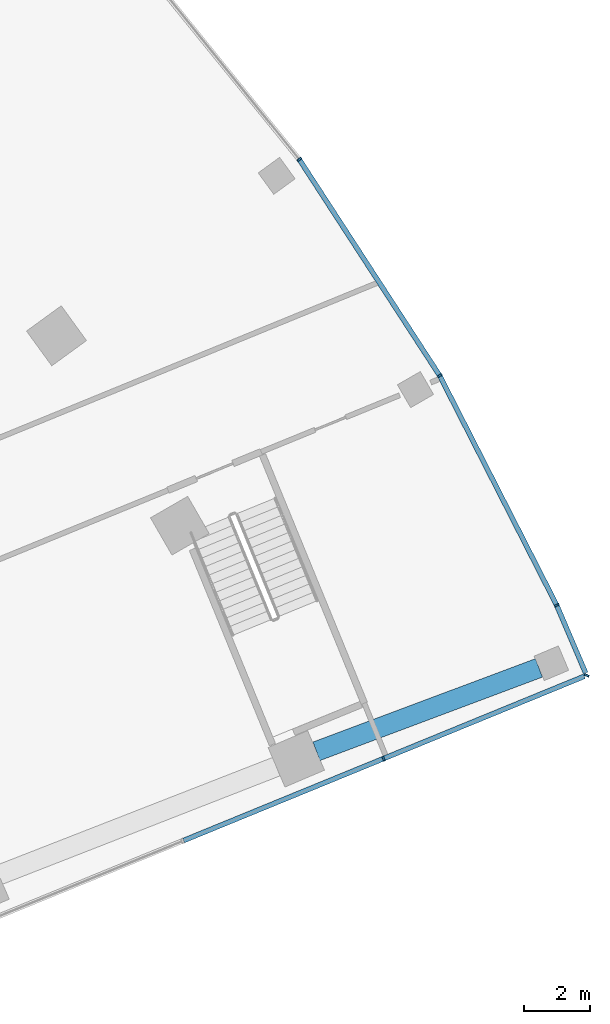
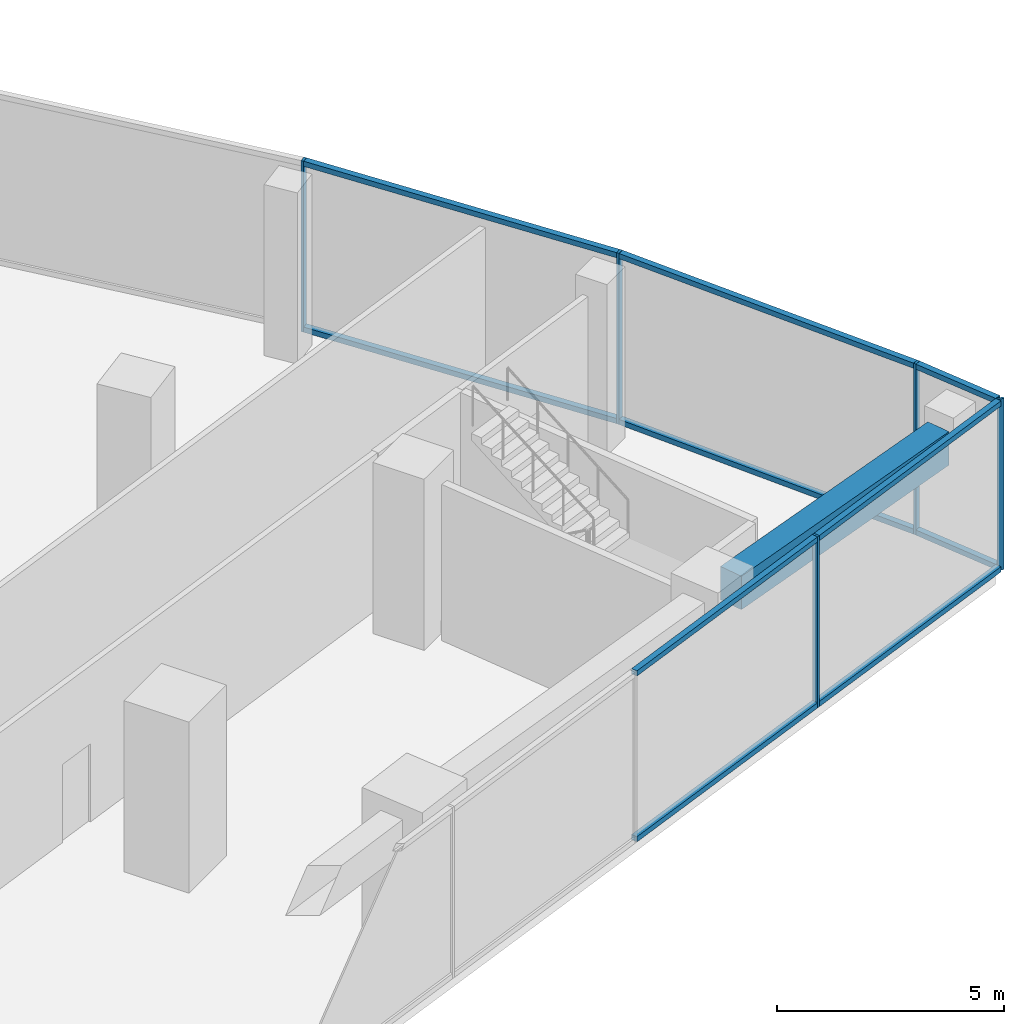
# One storey, part 16 of 39: 15 members, 1 beam, 2 elements without a shape of their own.
"""IFC4 building model written with IfcOpenShell, lengths in metres."""

from ifc_helpers import new_model, si_unit, direction, frame, origin, origin_2d, place, context, subcontext, project, spatial, rectangle, extrude, material, layer, layer_set, material_profile, profile_set, type_object, element, aggregate, save


model = new_model("IFC4")

# Units and contexts
model_context = context("Model", 3, precision=1e-05, world=origin(), true_north=direction((0.0, 1.0)))
body_context = subcontext(model_context, "Body", "Model", "MODEL_VIEW")
ifc_project = project(units=[si_unit("LENGTHUNIT", "METRE"), si_unit("AREAUNIT", "SQUARE_METRE"), si_unit("VOLUMEUNIT", "CUBIC_METRE"), si_unit("PLANEANGLEUNIT", "RADIAN"), si_unit("MASSUNIT", "GRAM", prefix="KILO")], contexts=[model_context])

# Site, building, storey
site_placement = place(None, origin())
site = spatial("IfcSite", under=ifc_project, at=site_placement, CompositionType="ELEMENT")
building_placement = place(site_placement, origin())
building = spatial("IfcBuilding", under=site, at=building_placement, Name="Stone Belt Terrace Tower", CompositionType="ELEMENT")
storey_placement = place(building_placement, frame((0.0, 0.0, 20.800048828125)))
storey = spatial("IfcBuildingStorey", under=building, at=storey_placement, Name="L04", CompositionType="ELEMENT", Elevation=20.800048828125)

# Curtain wall, member
ifc_material_1 = material(Name="Aluminium 6063-T6 anodised frame", Category="aluminium")
ifc_layer = layer(ifc_material_1, 0.14990234375)
ifc_layer_set = layer_set([ifc_layer], Name="CW-D podium shopfront")
curtain_wall_type = type_object("IfcCurtainWallType", Name="CW-D podium shopfront", PredefinedType="NOTDEFINED", material=ifc_layer_set)
curtain_wall_1_placement = place(storey_placement, origin())
curtain_wall_1 = element("IfcCurtainWall", 1, at=curtain_wall_1_placement, inside=storey, type_object=curtain_wall_type, Name="CW-D end face L04", PredefinedType="NOTDEFINED")
ifc_material_profile_1 = material_profile(ifc_material_1, rectangle(XDim=0.14990234375, YDim=0.06005859375, at=origin_2d()), Name="Aluminium 6063-T6 60x150")
ifc_profile_set_1 = profile_set([ifc_material_profile_1], Name="Aluminium 6063-T6 anodised frame")
member_type_1 = type_object("IfcMemberType", Name="CW-D mullion 60 x 150", PredefinedType="MULLION", material=ifc_profile_set_1)
member_1_placement = place(storey_placement, frame((62.882568359375, 25.692138671875, 0.0), z_axis=(0.0, 0.0, 1.0), x_axis=(-0.379243093825, 0.925297074342, 0.0)))
member_1 = element("IfcMember", 2, at=member_1_placement, type_object=member_type_1, Name="CW-D mullion 7", PredefinedType="MULLION", context=body_context, shape_type="SweptSolid", body=[
    extrude(rectangle(XDim=0.14990234375, YDim=0.06005859375, at=origin_2d()), origin(), (0.0, 0.0, 1.0), 4.599853515625),
])

# Curtain wall, members
curtain_wall_2_placement = place(storey_placement, origin())
curtain_wall_2 = element("IfcCurtainWall", 3, at=curtain_wall_2_placement, inside=storey, type_object=curtain_wall_type, Name="CW-D convex face L04", PredefinedType="NOTDEFINED")
member_2_placement = place(storey_placement, frame((69.033447265625, 28.213134765625, 0.0), z_axis=(0.0, 0.0, 1.0), x_axis=(-0.925309719849, 0.379212239192, 0.0)))
member_2 = element("IfcMember", 4, at=member_2_placement, type_object=member_type_1, Name="CW-D mullion 1", PredefinedType="MULLION", context=body_context, shape_type="SweptSolid", body=[
    extrude(rectangle(XDim=0.14990234375, YDim=0.06005859375, at=origin_2d()), origin(), (0.0, 0.0, 1.0), 4.599853515625),
])
member_3_placement = place(storey_placement, frame((68.127197265625, 30.333740234375, 0.0), z_axis=(0.0, 0.0, 1.0), x_axis=(-0.905778201442, -0.423752108895, 0.0)))
member_3 = element("IfcMember", 5, at=member_3_placement, type_object=member_type_1, Name="CW-D mullion 2", PredefinedType="MULLION", context=body_context, shape_type="SweptSolid", body=[
    extrude(rectangle(XDim=0.14990234375, YDim=0.06005859375, at=origin_2d()), origin(), (0.0, 0.0, 1.0), 4.599853515625),
])
member_4_placement = place(storey_placement, frame((64.583984375, 37.28759765625, 0.0), z_axis=(0.0, 0.0, 1.0), x_axis=(-0.866025403784, -0.5, 0.0)))
member_4 = element("IfcMember", 6, at=member_4_placement, type_object=member_type_1, Name="CW-D mullion 3", PredefinedType="MULLION", context=body_context, shape_type="SweptSolid", body=[
    extrude(rectangle(XDim=0.14990234375, YDim=0.06005859375, at=origin_2d()), origin(), (0.0, 0.0, 1.0), 4.599853515625),
])
member_5_placement = place(storey_placement, frame((60.33251953125, 43.834228515625, 0.0), z_axis=(0.0, 0.0, 1.0), x_axis=(-0.809016994375, -0.587785252292, 0.0)))
member_5 = element("IfcMember", 7, at=member_5_placement, type_object=member_type_1, Name="CW-D mullion 4", PredefinedType="MULLION", context=body_context, shape_type="SweptSolid", body=[
    extrude(rectangle(XDim=0.14990234375, YDim=0.06005859375, at=origin_2d()), origin(), (0.0, 0.0, 1.0), 4.599853515625),
])

# Member
ifc_material_profile_2 = material_profile(ifc_material_1, rectangle(XDim=0.14990234375, YDim=0.139892578125, at=origin_2d()), Name="Aluminium 6063-T6 150x140")
ifc_profile_set_2 = profile_set([ifc_material_profile_2], Name="Aluminium 6063-T6 anodised frame")
member_type_2 = type_object("IfcMemberType", Name="CW-D transom 140 x 150", PredefinedType="USERDEFINED", material=ifc_profile_set_2)
member_6_placement = place(storey_placement, frame((56.829833984375, 23.211181640625, 0.070068359375), z_axis=(0.925291118543, 0.379257624769, 0.0), x_axis=(-0.379257624769, 0.925291118543, 0.0)))
member_6 = element("IfcMember", 8, at=member_6_placement, type_object=member_type_2, Name="CW-D transom 6.1", ObjectType="TRANSOM", PredefinedType="USERDEFINED", context=body_context, shape_type="SweptSolid", body=[
    extrude(rectangle(XDim=0.14990234375, YDim=0.139892578125, at=origin_2d()), origin(), (0.0, 0.0, 1.0), 6.511474609375),
])

member_7_placement = place(storey_placement, frame((56.829833984375, 23.211181640625, 4.530029296875), z_axis=(0.925291118543, 0.379257624769, 0.0), x_axis=(-0.379257624769, 0.925291118543, 0.0)))
member_7 = element("IfcMember", 9, at=member_7_placement, type_object=member_type_2, Name="CW-D transom 6.2", ObjectType="TRANSOM", PredefinedType="USERDEFINED", context=body_context, shape_type="SweptSolid", body=[
    extrude(rectangle(XDim=0.14990234375, YDim=0.139892578125, at=origin_2d()), origin(), (0.0, 0.0, 1.0), 6.511474609375),
])

member_8_placement = place(storey_placement, frame((62.910400390625, 25.703369140625, 0.070068359375), z_axis=(0.925293547602, 0.379251698436, 0.0), x_axis=(-0.379251698436, 0.925293547602, 0.0)))
member_8 = element("IfcMember", 10, at=member_8_placement, type_object=member_type_2, Name="CW-D transom 7.1", ObjectType="TRANSOM", PredefinedType="USERDEFINED", context=body_context, shape_type="SweptSolid", body=[
    extrude(rectangle(XDim=0.14990234375, YDim=0.139892578125, at=origin_2d()), origin(), (0.0, 0.0, 1.0), 6.54296875),
])

member_9_placement = place(storey_placement, frame((62.910400390625, 25.703369140625, 4.530029296875), z_axis=(0.925293547602, 0.379251698436, 0.0), x_axis=(-0.379251698436, 0.925293547602, 0.0)))
member_9 = element("IfcMember", 11, at=member_9_placement, type_object=member_type_2, Name="CW-D transom 7.2", ObjectType="TRANSOM", PredefinedType="USERDEFINED", context=body_context, shape_type="SweptSolid", body=[
    extrude(rectangle(XDim=0.14990234375, YDim=0.139892578125, at=origin_2d()), origin(), (0.0, 0.0, 1.0), 6.54296875),
])

aggregate(curtain_wall_1, [member_1, member_6, member_7, member_8, member_9])

member_10_placement = place(storey_placement, frame((69.004150390625, 28.281494140625, 0.070068359375), z_axis=(-0.39299460879, 0.919540775312, 0.0), x_axis=(-0.919540775312, -0.39299460879, 0.0)))
member_10 = element("IfcMember", 12, at=member_10_placement, type_object=member_type_2, Name="CW-D transom 1.1", ObjectType="TRANSOM", PredefinedType="USERDEFINED", context=body_context, shape_type="SweptSolid", body=[
    extrude(rectangle(XDim=0.14990234375, YDim=0.139892578125, at=origin_2d()), origin(), (0.0, 0.0, 1.0), 2.19921875),
])

member_11_placement = place(storey_placement, frame((69.004150390625, 28.281494140625, 4.530029296875), z_axis=(-0.39299460879, 0.919540775312, 0.0), x_axis=(-0.919540775312, -0.39299460879, 0.0)))
member_11 = element("IfcMember", 13, at=member_11_placement, type_object=member_type_2, Name="CW-D transom 1.2", ObjectType="TRANSOM", PredefinedType="USERDEFINED", context=body_context, shape_type="SweptSolid", body=[
    extrude(rectangle(XDim=0.14990234375, YDim=0.139892578125, at=origin_2d()), origin(), (0.0, 0.0, 1.0), 2.19921875),
])

member_12_placement = place(storey_placement, frame((68.1123046875, 30.362548828125, 0.070068359375), z_axis=(-0.453977770034, 0.891013010183, 0.0), x_axis=(-0.891013010183, -0.453977770034, 0.0)))
member_12 = element("IfcMember", 14, at=member_12_placement, type_object=member_type_2, Name="CW-D transom 2.1", ObjectType="TRANSOM", PredefinedType="USERDEFINED", context=body_context, shape_type="SweptSolid", body=[
    extrude(rectangle(XDim=0.14990234375, YDim=0.139892578125, at=origin_2d()), origin(), (0.0, 0.0, 1.0), 7.738037109375),
])

member_13_placement = place(storey_placement, frame((68.1123046875, 30.362548828125, 4.530029296875), z_axis=(-0.453977770034, 0.891013010183, 0.0), x_axis=(-0.891013010183, -0.453977770034, 0.0)))
member_13 = element("IfcMember", 15, at=member_13_placement, type_object=member_type_2, Name="CW-D transom 2.2", ObjectType="TRANSOM", PredefinedType="USERDEFINED", context=body_context, shape_type="SweptSolid", body=[
    extrude(rectangle(XDim=0.14990234375, YDim=0.139892578125, at=origin_2d()), origin(), (0.0, 0.0, 1.0), 7.738037109375),
])

member_14_placement = place(storey_placement, frame((64.5654296875, 37.31591796875, 0.070068359375), z_axis=(-0.54462677088, 0.83867853224, 0.0), x_axis=(-0.83867853224, -0.54462677088, 0.0)))
member_14 = element("IfcMember", 16, at=member_14_placement, type_object=member_type_2, Name="CW-D transom 3.1", ObjectType="TRANSOM", PredefinedType="USERDEFINED", context=body_context, shape_type="SweptSolid", body=[
    extrude(rectangle(XDim=0.14990234375, YDim=0.139892578125, at=origin_2d()), origin(), (0.0, 0.0, 1.0), 7.738037109375),
])

member_15_placement = place(storey_placement, frame((64.5654296875, 37.31591796875, 4.530029296875), z_axis=(-0.54462677088, 0.83867853224, 0.0), x_axis=(-0.83867853224, -0.54462677088, 0.0)))
member_15 = element("IfcMember", 17, at=member_15_placement, type_object=member_type_2, Name="CW-D transom 3.2", ObjectType="TRANSOM", PredefinedType="USERDEFINED", context=body_context, shape_type="SweptSolid", body=[
    extrude(rectangle(XDim=0.14990234375, YDim=0.139892578125, at=origin_2d()), origin(), (0.0, 0.0, 1.0), 7.738037109375),
])

aggregate(curtain_wall_2, [member_2, member_3, member_4, member_5, member_10, member_11, member_12, member_13, member_14, member_15])

# Beam
ifc_material_2 = material(Name="Concrete B60", Category="concrete")
ifc_material_profile_3 = material_profile(ifc_material_2, rectangle(XDim=0.60009765625, YDim=0.89990234375, at=origin_2d()), Name="RC 600x900")
ifc_profile_set_3 = profile_set([ifc_material_profile_3], Name="Concrete B60")
beam_type = type_object("IfcBeamType", Name="Edge beam RC 600x900 B60", PredefinedType="SPANDREL", material=ifc_profile_set_3)
beam_placement = place(storey_placement, frame((60.85107421875, 25.913330078125, 3.75), z_axis=(0.936357063025, 0.351049071389, 0.0), x_axis=(-0.351049071389, 0.936357063025, 0.0)))
element("IfcBeam", 18, at=beam_placement, inside=storey, type_object=beam_type, Name="Edge beam L04 B R to S", PredefinedType="SPANDREL", context=body_context, shape_type="SweptSolid", body=[
    extrude(rectangle(XDim=0.60009765625, YDim=0.89990234375, at=origin_2d()), origin(), (0.0, 0.0, 1.0), 7.1953125),
])

save(model, "model.ifc")
